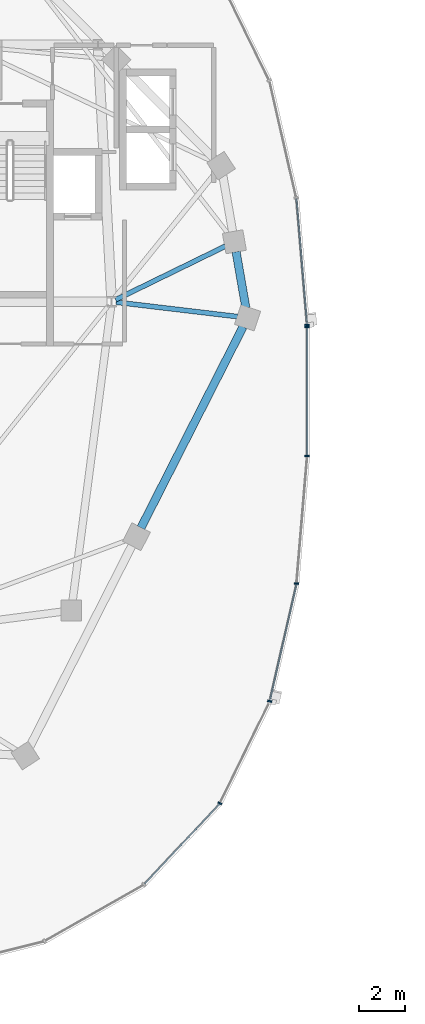
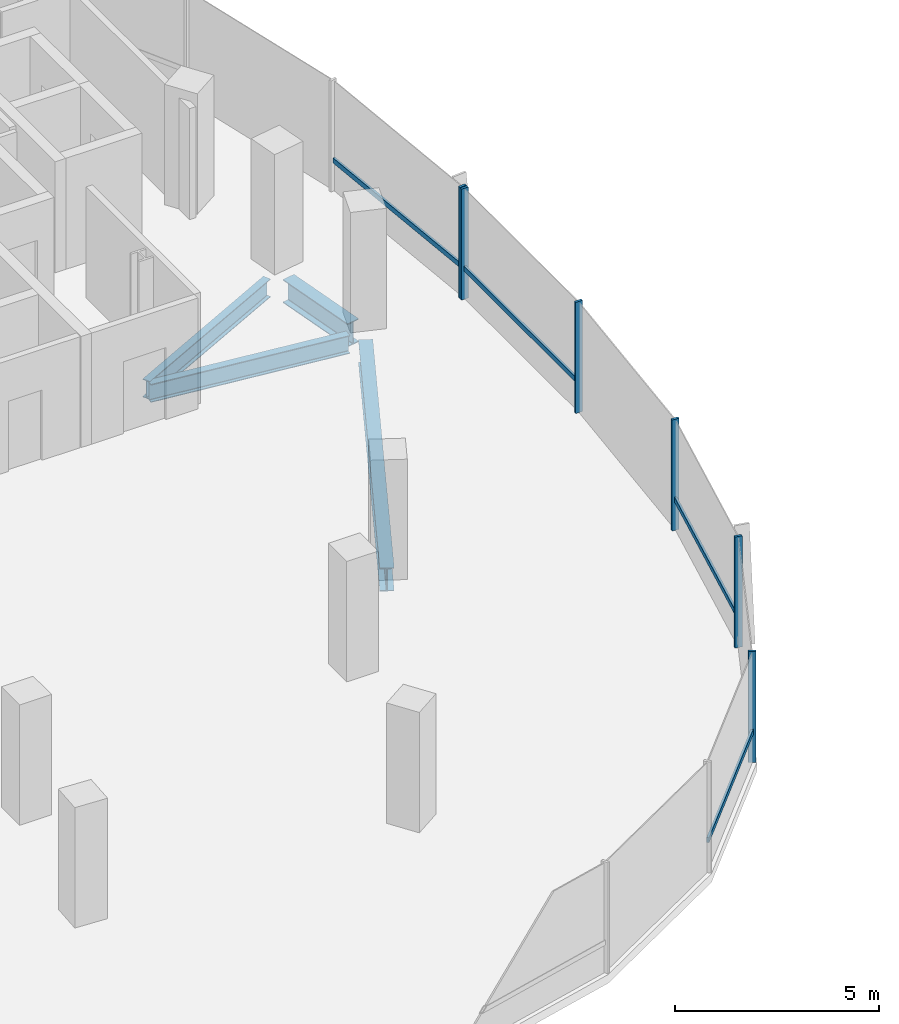
# One storey, part 5 of 24: 10 members, 4 beams, 2 elements without a shape of their own.
"""IFC4 building model written with IfcOpenShell, lengths in metres."""

import ifcopenshell
import ifcopenshell.guid

model = None  # the IFC model being written
_history = None  # IfcOwnerHistory: only IFC2X3 demands one
_inside = {}  # id of a spatial element -> (the spatial element, [elements in it])
_under = {}  # id of a project, library or spatial element -> (it, [spatial elements below it])
_declared = {}  # id of a project -> (the project, [libraries it declares])
_typed = {}  # id of a type object -> (the type object, [elements of that type])
_made_of = {}  # id of a material, layer set ... -> (it, [elements and type objects made of it])


def new_model(schema):
    """Start an empty IFC model of exactly this schema.

    Asked for "IFC4X3", IfcOpenShell would pick the latest addendum, in which some entities
    have other attributes; the version numbers below select the first issue.
    IFC2X3 requires an IfcOwnerHistory on every rooted entity: one is made here for all.
    """
    global model, _history
    if schema == "IFC4X3":
        model = ifcopenshell.file(schema_version=(4, 3, 0, 0))
    else:
        model = ifcopenshell.file(schema=schema)
    _inside.clear()
    _under.clear()
    _declared.clear()
    _typed.clear()
    _made_of.clear()
    _history = None
    if model.schema == "IFC2X3":
        org = make("IfcOrganization", Name="unknown")
        user = make(
            "IfcPersonAndOrganization",
            ThePerson=make("IfcPerson", FamilyName="unknown"),
            TheOrganization=org,
        )
        app = make(
            "IfcApplication",
            ApplicationDeveloper=org,
            Version="unknown",
            ApplicationFullName="unknown",
            ApplicationIdentifier="unknown",
        )
        _history = make(
            "IfcOwnerHistory",
            OwningUser=user,
            OwningApplication=app,
            ChangeAction="ADDED",
            CreationDate=0,
        )
    return model


def make(cls, **values):
    """One entity of the class cls with the attributes given. An attribute that is None is left unset."""
    return model.create_entity(
        cls, **{name: value for name, value in values.items() if value is not None}
    )


def rooted(cls, **values):
    """An entity with a GlobalId (a new one), such as an element, a storey or a relation."""
    return make(cls, GlobalId=ifcopenshell.guid.new(), OwnerHistory=_history, **values)


def si_unit(unit_type, name, prefix=None):
    """IfcSIUnit, for example si_unit("LENGTHUNIT", "METRE", prefix="MILLI")."""
    return make("IfcSIUnit", UnitType=unit_type, Prefix=prefix, Name=name)


def assignment(units):
    """IfcUnitAssignment: the units of a project."""
    return None if units is None else make("IfcUnitAssignment", Units=units)


def point(xyz):
    """IfcCartesianPoint."""
    return None if xyz is None else make("IfcCartesianPoint", Coordinates=xyz)


def direction(xyz):
    """IfcDirection."""
    return None if xyz is None else make("IfcDirection", DirectionRatios=xyz)


def frame(location, z_axis=None, x_axis=None):
    """IfcAxis2Placement3D, a coordinate frame: its origin and axes. An axis left out is left unset."""
    return make(
        "IfcAxis2Placement3D",
        Location=point(location),
        Axis=direction(z_axis),
        RefDirection=direction(x_axis),
    )


def frame_2d(location, x_axis=None):
    """IfcAxis2Placement2D, a coordinate frame in the plane: its origin and x axis."""
    return make(
        "IfcAxis2Placement2D", Location=point(location), RefDirection=direction(x_axis)
    )


def origin():
    """The frame at (0, 0, 0) with its axes left unset."""
    return frame((0.0, 0.0, 0.0))


def origin_2d():
    """The frame at (0, 0) in the plane with its x axis left unset."""
    return frame_2d((0.0, 0.0))


def place(relative_to, where):
    """IfcLocalPlacement: puts the frame where relative to a parent placement (None: the world)."""
    return make(
        "IfcLocalPlacement", PlacementRelTo=relative_to, RelativePlacement=where
    )


def context(
    kind, dimensions, precision=None, world=None, true_north=None, identifier=None
):
    """IfcGeometricRepresentationContext, for example the 3D "Model" context."""
    return make(
        "IfcGeometricRepresentationContext",
        ContextIdentifier=identifier,
        ContextType=kind,
        CoordinateSpaceDimension=dimensions,
        Precision=precision,
        WorldCoordinateSystem=world,
        TrueNorth=true_north,
    )


def subcontext(parent, identifier, kind, view, scale=None):
    """IfcGeometricRepresentationSubContext, for example "Body" below "Model"."""
    return make(
        "IfcGeometricRepresentationSubContext",
        ContextIdentifier=identifier,
        ContextType=kind,
        ParentContext=parent,
        TargetScale=scale,
        TargetView=view,
    )


def project(units=None, contexts=None):
    """IfcProject with its units and contexts."""
    return rooted(
        "IfcProject",
        Name="project",
        RepresentationContexts=contexts,
        UnitsInContext=assignment(units),
    )


def spatial(cls, under=None, at=None, **own):
    """A site, building, storey or space (cls), placed at a placement, below another one or the project."""
    s = rooted(cls, ObjectPlacement=at, **own)
    if under is not None:
        _under.setdefault(under.id(), (under, []))[1].append(s)
    return s


def profile(cls, at=None, kind="AREA", **sizes):
    """A parametric profile (cls). Its sizes go by their IFC names, for example OverallWidth=200.0."""
    return make(cls, ProfileType=kind, Position=at, **sizes)


def rectangle(**sizes):
    """IfcRectangleProfileDef."""
    return profile("IfcRectangleProfileDef", **sizes)


def i_section(**sizes):
    """IfcIShapeProfileDef."""
    return profile("IfcIShapeProfileDef", **sizes)


def extrude(swept, where, along, depth):
    """IfcExtrudedAreaSolid: the profile swept, set in the frame where, extruded along a direction by depth."""
    return make(
        "IfcExtrudedAreaSolid",
        SweptArea=swept,
        Position=where,
        ExtrudedDirection=direction(along),
        Depth=depth,
    )


def shape(context_of_items, identifier, shape_type, items):
    """IfcShapeRepresentation: the items that make up one representation, for example the "Body"."""
    return make(
        "IfcShapeRepresentation",
        ContextOfItems=context_of_items,
        RepresentationIdentifier=identifier,
        RepresentationType=shape_type,
        Items=items,
    )


def material(Name=None, Category=None):
    """IfcMaterial."""
    return make("IfcMaterial", Name=Name, Category=Category)


def material_profile(
    of_material, cross_section, Name=None, Category=None, Priority=None
):
    """IfcMaterialProfile: a cross section and its material."""
    return make(
        "IfcMaterialProfile",
        Name=Name,
        Material=of_material,
        Profile=cross_section,
        Priority=Priority,
        Category=Category,
    )


def profile_set(profiles, Name=None, composite=None):
    """IfcMaterialProfileSet."""
    return make(
        "IfcMaterialProfileSet",
        Name=Name,
        MaterialProfiles=profiles,
        CompositeProfile=composite,
    )


def made_of(thing, what):
    """Note that an element or type object is made of a material, layer set ...; save() writes the relation."""
    if what is not None:
        _made_of.setdefault(what.id(), (what, []))[1].append(thing)
    return thing


def type_object(cls, material=None, **own):
    """A type object (cls), such as IfcWallType, which elements share."""
    return made_of(rooted(cls, **own), material)


def element(
    cls,
    number,
    at=None,
    inside=None,
    cuts=None,
    type_object=None,
    material=None,
    context=None,
    identifier="Body",
    shape_type=None,
    held_by="IfcProductDefinitionShape",
    body=None,
    shapes=None,
    **own,
):
    """One element of the class cls, such as IfcWall. Its Tag is "e" and its number.

    at: its placement. inside: the storey or other place that contains it. cuts: it is an
    opening in that element (IfcRelVoidsElement). A single representation is given by context,
    identifier, shape_type and body (its items); several are given by shapes. held_by: the class
    of the entity that holds the representations. save() writes the other relations.
    """
    e = rooted(cls, Tag="e%d" % number, ObjectPlacement=at, **own)
    if body is not None:
        shapes = [shape(context, identifier, shape_type, body)]
    if shapes is not None:
        e.Representation = make(held_by, Representations=shapes)
    if inside is not None:
        _inside.setdefault(inside.id(), (inside, []))[1].append(e)
    if cuts is not None:
        rooted(
            "IfcRelVoidsElement", RelatingBuildingElement=cuts, RelatedOpeningElement=e
        )
    if type_object is not None:
        _typed.setdefault(type_object.id(), (type_object, []))[1].append(e)
    return made_of(e, material)


def aggregate(whole, parts):
    """IfcRelAggregates: a whole, such as a stair, and the parts it consists of."""
    return rooted("IfcRelAggregates", RelatingObject=whole, RelatedObjects=parts)


def save(model, path):
    """Write the relations noted so far, then the file.

    IfcRelAggregates (storeys below a building ...), IfcRelContainedInSpatialStructure (elements
    in a storey), IfcRelDefinesByType, IfcRelAssociatesMaterial and IfcRelDeclares: one each for
    every whole, place, type object, material and project.
    """
    for whole, parts in _under.values():
        aggregate(whole, parts)
    for where, things in _inside.values():
        rooted(
            "IfcRelContainedInSpatialStructure",
            RelatedElements=things,
            RelatingStructure=where,
        )
    for kind, things in _typed.values():
        rooted("IfcRelDefinesByType", RelatedObjects=things, RelatingType=kind)
    for what, things in _made_of.values():
        rooted("IfcRelAssociatesMaterial", RelatedObjects=things, RelatingMaterial=what)
    for by, libraries in _declared.values():
        rooted("IfcRelDeclares", RelatingContext=by, RelatedDefinitions=libraries)
    model.write(path)


model = new_model("IFC4")

# Units and contexts
model_context = context("Model", 3, precision=1e-05, world=origin(), true_north=direction((0.0, 1.0)))
body_context = subcontext(model_context, "Body", "Model", "MODEL_VIEW")
ifc_project = project(units=[si_unit("LENGTHUNIT", "METRE"), si_unit("AREAUNIT", "SQUARE_METRE"), si_unit("VOLUMEUNIT", "CUBIC_METRE"), si_unit("PLANEANGLEUNIT", "RADIAN"), si_unit("MASSUNIT", "GRAM", prefix="KILO"), si_unit("THERMODYNAMICTEMPERATUREUNIT", "KELVIN"), si_unit("POWERUNIT", "WATT")], contexts=[model_context])

# Site, building, storey
site_placement = place(None, origin())
site = spatial("IfcSite", under=ifc_project, at=site_placement, CompositionType="ELEMENT")
building_placement = place(site_placement, origin())
building = spatial("IfcBuilding", under=site, at=building_placement, Name="Cundina Bronze Exchange", CompositionType="ELEMENT")
storey_placement = place(building_placement, frame((0.0, 0.0, 231.39990234375)))
storey = spatial("IfcBuildingStorey", under=building, at=storey_placement, Name="L61", CompositionType="ELEMENT", Elevation=231.39990234375)

# Beams
ifc_material_1 = material(Name="Steel ASTM A992 Grade 50", Category="steel")
ifc_material_profile_1 = material_profile(ifc_material_1, i_section(OverallWidth=0.2119140625, OverallDepth=0.5439453125, WebThickness=0.01318359375, FlangeThickness=0.021240234375, FilletRadius=0.013916015625, at=origin_2d()), Name="W21X83", Category="steel")
ifc_profile_set_1 = profile_set([ifc_material_profile_1], Name="Steel ASTM A992 Grade 50")
beam_type_1 = type_object("IfcBeamType", Name="BM-FLR-W21A", PredefinedType="BEAM", material=ifc_profile_set_1)
beam_1_placement = place(storey_placement, frame((-21.25537109375, 3.876953125, -0.531982421875), z_axis=(0.993036786722, -0.117804669761, 0.0), x_axis=(0.117804669761, 0.993036786722, 0.0)))
element("IfcBeam", 1, at=beam_1_placement, inside=storey, type_object=beam_type_1, Name="L61 Leg W Radial Floor Beam 00", PredefinedType="BEAM", context=body_context, shape_type="SweptSolid", body=[
    extrude(i_section(OverallWidth=0.2119140625, OverallDepth=0.5439453125, WebThickness=0.01318359375, FlangeThickness=0.021240234375, FilletRadius=0.013916015625, at=origin_2d()), origin(), (0.0, 0.0, 1.0), 5.307373046875),
])
beam_2_placement = place(storey_placement, frame((-21.27392578125, 3.986083984375, -0.531982421875), z_axis=(0.898613202677, 0.438741737214, 0.0), x_axis=(-0.438741737214, 0.898613202677, 0.0)))
element("IfcBeam", 2, at=beam_2_placement, inside=storey, type_object=beam_type_1, Name="L61 Leg W Radial Floor Beam 01", PredefinedType="BEAM", context=body_context, shape_type="SweptSolid", body=[
    extrude(i_section(OverallWidth=0.2119140625, OverallDepth=0.5439453125, WebThickness=0.01318359375, FlangeThickness=0.021240234375, FilletRadius=0.013916015625, at=origin_2d()), origin(), (0.0, 0.0, 1.0), 5.2919921875),
])
ifc_material_profile_2 = material_profile(ifc_material_1, i_section(OverallWidth=0.35498046875, OverallDepth=0.695068359375, WebThickness=0.015380859375, FlangeThickness=0.02490234375, FilletRadius=0.01806640625, at=origin_2d()), Name="W27X146", Category="steel")
ifc_profile_set_2 = profile_set([ifc_material_profile_2], Name="Steel ASTM A992 Grade 50")
beam_type_2 = type_object("IfcBeamType", Name="BM-RING-W27", PredefinedType="USERDEFINED", material=ifc_profile_set_2)
beam_3_placement = place(storey_placement, frame((-15.625244140625, 3.631591796875, -0.607421875), z_axis=(-0.171628556628, 0.985161732179, 0.0), x_axis=(-0.985161732179, -0.171628556628, 0.0)))
element("IfcBeam", 3, at=beam_3_placement, inside=storey, type_object=beam_type_2, Name="L61 W Perimeter Ring Girder 00", ObjectType="GIRDER", PredefinedType="USERDEFINED", context=body_context, shape_type="SweptSolid", body=[
    extrude(i_section(OverallWidth=0.35498046875, OverallDepth=0.695068359375, WebThickness=0.015380859375, FlangeThickness=0.02490234375, FilletRadius=0.01806640625, at=origin_2d()), origin(), (0.0, 0.0, 1.0), 2.4736328125),
])
beam_4_placement = place(storey_placement, frame((-20.1767578125, -5.909423828125, -0.607421875), z_axis=(0.452846871434, 0.891588308039, 0.0), x_axis=(-0.891588308039, 0.452846871434, 0.0)))
element("IfcBeam", 4, at=beam_4_placement, inside=storey, type_object=beam_type_2, Name="L61 W Perimeter Ring Girder 13", ObjectType="GIRDER", PredefinedType="USERDEFINED", context=body_context, shape_type="SweptSolid", body=[
    extrude(i_section(OverallWidth=0.35498046875, OverallDepth=0.695068359375, WebThickness=0.015380859375, FlangeThickness=0.02490234375, FilletRadius=0.01806640625, at=origin_2d()), origin(), (0.0, 0.0, 1.0), 9.779052734375),
])

# Curtain wall, member
ifc_material_2 = material(Name="Anodised Bronze Aluminium 6063-T6", Category="aluminium")
curtain_wall_type = type_object("IfcCurtainWallType", Name="CWS-UPP-OFF", PredefinedType="NOTDEFINED", material=ifc_material_2)
curtain_wall_1_placement = place(storey_placement, origin())
curtain_wall_1 = element("IfcCurtainWall", 5, at=curtain_wall_1_placement, inside=storey, type_object=curtain_wall_type, Name="L61 CW-05 Curtain Wall Run CWR-L61-W1", PredefinedType="NOTDEFINED")
ifc_material_profile_3 = material_profile(ifc_material_2, rectangle(XDim=0.070068359375, YDim=0.18994140625, at=origin_2d()), Name="AL70X190", Category="aluminium")
ifc_profile_set_3 = profile_set([ifc_material_profile_3], Name="Anodised Bronze Aluminium 6063-T6")
member_type_1 = type_object("IfcMemberType", Name="CWM-MUL-190", PredefinedType="MULLION", material=ifc_profile_set_3)
member_1_placement = place(storey_placement, frame((-12.9697265625, 2.88330078125, 0.0), z_axis=(0.0, 0.0, 1.0), x_axis=(-0.083677843332, 0.99649285925, 0.0)))
member_1 = element("IfcMember", 6, at=member_1_placement, type_object=member_type_1, Name="CW-05 Mullion 1", PredefinedType="MULLION", context=body_context, shape_type="SweptSolid", body=[
    extrude(rectangle(XDim=0.070068359375, YDim=0.18994140625, at=origin_2d()), origin(), (0.0, 0.0, 1.0), 3.320068359375),
])

# Curtain wall, members
curtain_wall_2_placement = place(storey_placement, origin())
curtain_wall_2 = element("IfcCurtainWall", 7, at=curtain_wall_2_placement, inside=storey, type_object=curtain_wall_type, Name="L61 CW-05 Curtain Wall Run CWR-L61-W4", PredefinedType="NOTDEFINED")
member_2_placement = place(storey_placement, frame((-16.754638671875, -17.866455078125, 0.0), z_axis=(0.0, 0.0, 1.0), x_axis=(0.440566004113, 0.897720221461, 0.0)))
member_2 = element("IfcMember", 8, at=member_2_placement, type_object=member_type_1, Name="CW-05 Mullion 4", PredefinedType="MULLION", context=body_context, shape_type="SweptSolid", body=[
    extrude(rectangle(XDim=0.070068359375, YDim=0.18994140625, at=origin_2d()), origin(), (0.0, 0.0, 1.0), 3.320068359375),
])
member_3_placement = place(storey_placement, frame((-14.59228515625, -13.440673828125, 0.0), z_axis=(0.0, 0.0, 1.0), x_axis=(0.223250116011, 0.974761194191, 0.0)))
member_3 = element("IfcMember", 9, at=member_3_placement, type_object=member_type_1, Name="CW-05 Mullion 5", PredefinedType="MULLION", context=body_context, shape_type="SweptSolid", body=[
    extrude(rectangle(XDim=0.070068359375, YDim=0.18994140625, at=origin_2d()), origin(), (0.0, 0.0, 1.0), 3.320068359375),
])
member_4_placement = place(storey_placement, frame((-13.427490234375, -8.33056640625, 0.0), z_axis=(0.0, 0.0, 1.0), x_axis=(0.083677843332, 0.99649285925, 0.0)))
member_4 = element("IfcMember", 10, at=member_4_placement, type_object=member_type_1, Name="CW-05 Mullion 6", PredefinedType="MULLION", context=body_context, shape_type="SweptSolid", body=[
    extrude(rectangle(XDim=0.070068359375, YDim=0.18994140625, at=origin_2d()), origin(), (0.0, 0.0, 1.0), 3.320068359375),
])
member_5_placement = place(storey_placement, frame((-12.966064453125, -2.794921875, 0.0), z_axis=(0.0, 0.0, 1.0), x_axis=(0.0, 1.0, 0.0)))
member_5 = element("IfcMember", 11, at=member_5_placement, type_object=member_type_1, Name="CW-05 Mullion 7", PredefinedType="MULLION", context=body_context, shape_type="SweptSolid", body=[
    extrude(rectangle(XDim=0.070068359375, YDim=0.18994140625, at=origin_2d()), origin(), (0.0, 0.0, 1.0), 3.320068359375),
])
member_6_placement = place(storey_placement, frame((-12.966064453125, 2.794921875, 0.0), z_axis=(0.0, 0.0, 1.0), x_axis=(0.0, 1.0, 0.0)))
member_6 = element("IfcMember", 12, at=member_6_placement, type_object=member_type_1, Name="CW-05 End Mullion", PredefinedType="MULLION", context=body_context, shape_type="SweptSolid", body=[
    extrude(rectangle(XDim=0.070068359375, YDim=0.18994140625, at=origin_2d()), origin(), (0.0, 0.0, 1.0), 3.320068359375),
])

# Member
ifc_material_profile_4 = material_profile(ifc_material_2, rectangle(XDim=0.06494140625, YDim=0.14990234375, at=origin_2d()), Name="AL65X150", Category="aluminium")
ifc_profile_set_4 = profile_set([ifc_material_profile_4], Name="Anodised Bronze Aluminium 6063-T6")
member_type_2 = type_object("IfcMemberType", Name="CWM-TRN-150", PredefinedType="USERDEFINED", material=ifc_profile_set_4)
member_7_placement = place(storey_placement, frame((-12.972900390625, 2.921630859375, 0.920166015625), z_axis=(-0.083740331158, 0.996487610027, 0.0), x_axis=(-0.996487610027, -0.083740331158, 0.0)))
member_7 = element("IfcMember", 13, at=member_7_placement, type_object=member_type_2, Name="CW-05 Spandrel Transom 1", ObjectType="TRANSOM", PredefinedType="USERDEFINED", context=body_context, shape_type="SweptSolid", body=[
    extrude(rectangle(XDim=0.06494140625, YDim=0.14990234375, at=origin_2d()), origin(), (0.0, 0.0, 1.0), 5.466552734375),
])

aggregate(curtain_wall_1, [member_1, member_7])

member_8_placement = place(storey_placement, frame((-20.02490234375, -21.364501953125, 0.920166015625), z_axis=(0.684336416554, 0.729166420633, 0.0), x_axis=(-0.729166420633, 0.684336416554, 0.0)))
member_8 = element("IfcMember", 14, at=member_8_placement, type_object=member_type_2, Name="CW-05 Spandrel Transom 3", ObjectType="TRANSOM", PredefinedType="USERDEFINED", context=body_context, shape_type="SweptSolid", body=[
    extrude(rectangle(XDim=0.06494140625, YDim=0.14990234375, at=origin_2d()), origin(), (0.0, 0.0, 1.0), 4.76513671875),
])

member_9_placement = place(storey_placement, frame((-14.58349609375, -13.403076171875, 0.920166015625), z_axis=(0.22328343579, 0.974753562344, 0.0), x_axis=(-0.974753562344, 0.22328343579, 0.0)))
member_9 = element("IfcMember", 15, at=member_9_placement, type_object=member_type_2, Name="CW-05 Spandrel Transom 5", ObjectType="TRANSOM", PredefinedType="USERDEFINED", context=body_context, shape_type="SweptSolid", body=[
    extrude(rectangle(XDim=0.06494140625, YDim=0.14990234375, at=origin_2d()), origin(), (0.0, 0.0, 1.0), 5.159912109375),
])

member_10_placement = place(storey_placement, frame((-12.966064453125, -2.756591796875, 0.920166015625), z_axis=(0.0, 1.0, 0.0), x_axis=(-1.0, 0.0, 0.0)))
member_10 = element("IfcMember", 16, at=member_10_placement, type_object=member_type_2, Name="CW-05 Spandrel Transom 7", ObjectType="TRANSOM", PredefinedType="USERDEFINED", context=body_context, shape_type="SweptSolid", body=[
    extrude(rectangle(XDim=0.06494140625, YDim=0.14990234375, at=origin_2d()), origin(), (0.0, 0.0, 1.0), 5.51318359375),
])

aggregate(curtain_wall_2, [member_8, member_2, member_3, member_9, member_4, member_5, member_6, member_10])

save(model, "model.ifc")
